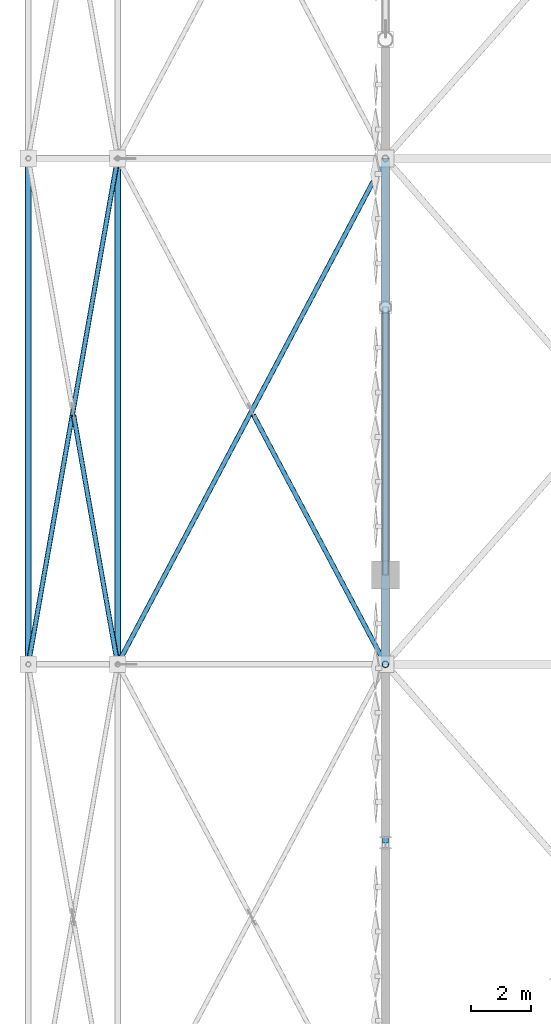
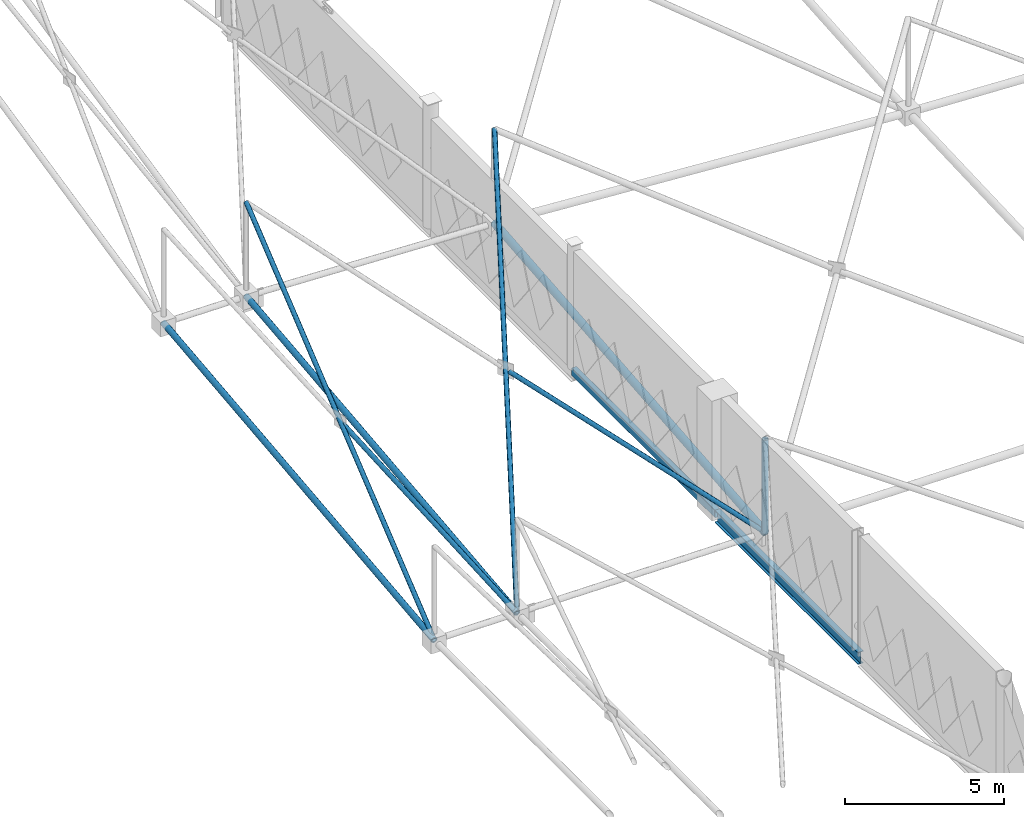
# One storey, part 68 of 224: 8 members, 2 beams.
"""IFC4 building model written with IfcOpenShell, lengths in metres."""

from ifc_helpers import new_model, si_unit, direction, frame, origin, origin_2d, place, context, subcontext, project, spatial, hollow_rectangle, hollow_circle, i_section, extrude, material, material_profile, profile_set, type_object, element, save


model = new_model("IFC4")

# Units and contexts
model_context = context("Model", 3, precision=1e-05, world=origin(), true_north=direction((0.0, 1.0)))
body_context = subcontext(model_context, "Body", "Model", "MODEL_VIEW")
ifc_project = project(units=[si_unit("LENGTHUNIT", "METRE"), si_unit("AREAUNIT", "SQUARE_METRE"), si_unit("VOLUMEUNIT", "CUBIC_METRE"), si_unit("PLANEANGLEUNIT", "RADIAN"), si_unit("MASSUNIT", "GRAM", prefix="KILO")], contexts=[model_context])

# Site, building, storey
site_placement = place(None, origin())
site = spatial("IfcSite", under=ifc_project, at=site_placement, CompositionType="ELEMENT")
building_placement = place(site_placement, origin())
building = spatial("IfcBuilding", under=site, at=building_placement, Name="Qamarlyn Nura Convention Centre", CompositionType="ELEMENT")
storey_placement = place(building_placement, frame((0.0, 0.0, 10.800048828125)))
storey = spatial("IfcBuildingStorey", under=building, at=storey_placement, Name="L02", CompositionType="ELEMENT", Elevation=10.800048828125)

# Beams
ifc_material_1 = material(Name="Steel ASTM A992", Category="steel")
ifc_material_profile_1 = material_profile(ifc_material_1, i_section(OverallWidth=0.193115234375, OverallDepth=0.466064453125, WebThickness=0.011474609375, FlangeThickness=0.01904296875, FilletRadius=0.012939453125, at=origin_2d()), Name="W460X97")
ifc_profile_set_1 = profile_set([ifc_material_profile_1], Name="Steel ASTM A992")
beam_type_1 = type_object("IfcBeamType", Name="BM-SPAN-460", PredefinedType="SPANDREL", material=ifc_profile_set_1)
beam_1_placement = place(storey_placement, frame((0.0, 63.0, -0.233154296875), z_axis=(0.0, 1.0, 0.0), x_axis=(-1.0, 0.0, 0.0)))
element("IfcBeam", 1, at=beam_1_placement, inside=storey, type_object=beam_type_1, Name="L02 girder 1 H-J", PredefinedType="SPANDREL", context=body_context, shape_type="SweptSolid", body=[
    extrude(i_section(OverallWidth=0.193115234375, OverallDepth=0.466064453125, WebThickness=0.011474609375, FlangeThickness=0.01904296875, FilletRadius=0.012939453125, at=origin_2d()), origin(), (0.0, 0.0, 1.0), 9.0),
])
ifc_material_2 = material(Name="Steel ASTM A500 Grade C", Category="steel")
ifc_material_profile_2 = material_profile(ifc_material_2, hollow_rectangle(XDim=0.199951171875, YDim=0.300048828125, WallThickness=0.012451171875, InnerFilletRadius=0.012451171875, OuterFilletRadius=0.02490234375, at=origin_2d()), Name="HSS300X200X12.5")
ifc_profile_set_2 = profile_set([ifc_material_profile_2], Name="Steel ASTM A500 Grade C")
beam_type_2 = type_object("IfcBeamType", Name="BM-SPAN-HSS", PredefinedType="SPANDREL", material=ifc_profile_set_2)
beam_2_placement = place(storey_placement, frame((0.0, 72.0, -0.150146484375), z_axis=(0.0, 1.0, 0.0), x_axis=(-1.0, 0.0, 0.0)))
element("IfcBeam", 2, at=beam_2_placement, inside=storey, type_object=beam_type_2, Name="L02 girder 1 J-K", PredefinedType="SPANDREL", context=body_context, shape_type="SweptSolid", body=[
    extrude(hollow_rectangle(XDim=0.199951171875, YDim=0.300048828125, WallThickness=0.012451171875, InnerFilletRadius=0.012451171875, OuterFilletRadius=0.02490234375, at=origin_2d()), origin(), (0.0, 0.0, 1.0), 9.0),
])

# Members
ifc_material_3 = material(Name="Pearl-white PVDF steel ASTM A500 Grade C", Category="steel")
ifc_material_profile_3 = material_profile(ifc_material_3, hollow_circle(Radius=0.109619140625, WallThickness=0.010009765625, at=origin_2d()), Name="CHS219.1X10")
ifc_profile_set_3 = profile_set([ifc_material_profile_3], Name="Pearl-white PVDF steel ASTM A500 Grade C")
member_type_1 = type_object("IfcMemberType", Name="SF-BC-EAVE", PredefinedType="CHORD", material=ifc_profile_set_3)
member_1_placement = place(storey_placement, frame((-12.0, 69.0, 1.0107421875), z_axis=(0.0, 0.994150129904, 0.108007033156), x_axis=(-1.0, 0.0, 0.0)))
element("IfcMember", 3, at=member_1_placement, inside=storey, type_object=member_type_1, Name="ROOF TRUSS space frame bottom chord Y0-5", PredefinedType="CHORD", context=body_context, shape_type="SweptSolid", body=[
    extrude(hollow_circle(Radius=0.109619140625, WallThickness=0.010009765625, at=origin_2d()), origin(), (0.0, 0.0, 1.0), 17.10009765625),
])
member_2_placement = place(storey_placement, frame((-9.0, 69.0, 1.005615234375), z_axis=(0.0, 0.994278213188, 0.106821508974), x_axis=(-1.0, 0.0, 0.0)))
element("IfcMember", 4, at=member_2_placement, inside=storey, type_object=member_type_1, Name="ROOF TRUSS space frame bottom chord Y1-5", PredefinedType="CHORD", context=body_context, shape_type="SweptSolid", body=[
    extrude(hollow_circle(Radius=0.109619140625, WallThickness=0.010009765625, at=origin_2d()), origin(), (0.0, 0.0, 1.0), 17.097900390625),
])
ifc_material_profile_4 = material_profile(ifc_material_3, hollow_circle(Radius=0.136474609375, WallThickness=0.012451171875, at=origin_2d()), Name="CHS273X12.5")
ifc_profile_set_4 = profile_set([ifc_material_profile_4], Name="Pearl-white PVDF steel ASTM A500 Grade C")
member_type_2 = type_object("IfcMemberType", Name="SF-BC-MAIN", PredefinedType="CHORD", material=ifc_profile_set_4)
member_3_placement = place(storey_placement, frame((0.0, 69.0, 0.937255859375), z_axis=(0.0, 0.995888281299, 0.090589906562), x_axis=(-1.0, 0.0, 0.0)))
element("IfcMember", 5, at=member_3_placement, inside=storey, type_object=member_type_2, Name="ROOF TRUSS space frame bottom chord Y2-5", PredefinedType="CHORD", context=body_context, shape_type="SweptSolid", body=[
    extrude(hollow_circle(Radius=0.136474609375, WallThickness=0.012451171875, at=origin_2d()), origin(), (0.0, 0.0, 1.0), 17.070068359375),
])
ifc_material_profile_5 = material_profile(ifc_material_3, hollow_circle(Radius=0.109619140625, WallThickness=0.010009765625, at=origin_2d()), Name="CHS219.1X10")
ifc_profile_set_5 = profile_set([ifc_material_profile_5], Name="Pearl-white PVDF steel ASTM A500 Grade C")
member_type_3 = type_object("IfcMemberType", Name="SF-WEB-HVY", PredefinedType="BRACE", material=ifc_profile_set_5)
member_4_placement = place(storey_placement, frame((0.0, 69.0, 0.937255859375), z_axis=(0.0, 0.0, 1.0), x_axis=(1.0, 0.0, 0.0)))
element("IfcMember", 6, at=member_4_placement, inside=storey, type_object=member_type_3, Name="ROOF TRUSS space frame vertical 2-5", PredefinedType="BRACE", context=body_context, shape_type="SweptSolid", body=[
    extrude(hollow_circle(Radius=0.109619140625, WallThickness=0.010009765625, at=origin_2d()), origin(), (0.0, 0.0, 1.0), 3.60009765625),
])
ifc_material_profile_6 = material_profile(ifc_material_3, hollow_circle(Radius=0.084228515625, WallThickness=0.008056640625, at=origin_2d()), Name="CHS168.3X8")
ifc_profile_set_6 = profile_set([ifc_material_profile_6], Name="Pearl-white PVDF steel ASTM A500 Grade C")
member_type_4 = type_object("IfcMemberType", Name="SF-WEB-STD", PredefinedType="BRACE", material=ifc_profile_set_6)
member_5_placement = place(storey_placement, frame((-12.0, 69.0, 1.0107421875), z_axis=(0.165801172969, 0.939539980159, 0.299624092363), x_axis=(-0.984783558818, 0.173785333909, 0.0)))
element("IfcMember", 7, at=member_5_placement, inside=storey, type_object=member_type_4, Name="ROOF TRUSS space frame diagonal A 0-5", PredefinedType="BRACE", context=body_context, shape_type="SweptSolid", body=[
    extrude(hollow_circle(Radius=0.084228515625, WallThickness=0.008056640625, at=origin_2d()), origin(), (0.0, 0.0, 1.0), 18.093994140625),
])
member_6_placement = place(storey_placement, frame((-9.0, 69.0, 1.005615234375), z_axis=(-0.16574855294, 0.939223532671, 0.300643597761), x_axis=(-0.984782980353, -0.173788611843, 0.0)))
element("IfcMember", 8, at=member_6_placement, inside=storey, type_object=member_type_4, Name="ROOF TRUSS space frame split diagonal B1 0-5", PredefinedType="BRACE", context=body_context, shape_type="SweptSolid", body=[
    extrude(hollow_circle(Radius=0.084228515625, WallThickness=0.008056640625, at=origin_2d()), origin(), (0.0, 0.0, 1.0), 8.909912109375),
])
member_7_placement = place(storey_placement, frame((-9.0, 69.0, 1.005615234375), z_axis=(0.452388496338, 0.854511604194, 0.255253925885), x_axis=(-0.883787916347, 0.467887720419, 0.0)))
element("IfcMember", 9, at=member_7_placement, inside=storey, type_object=member_type_4, Name="ROOF TRUSS space frame diagonal A 1-5", PredefinedType="BRACE", context=body_context, shape_type="SweptSolid", body=[
    extrude(hollow_circle(Radius=0.084228515625, WallThickness=0.008056640625, at=origin_2d()), origin(), (0.0, 0.0, 1.0), 19.894287109375),
])
member_8_placement = place(storey_placement, frame((0.0, 69.0, 0.937255859375), z_axis=(-0.450756996548, 0.851438149802, 0.268088058528), x_axis=(-0.883789795007, -0.467884171822, 0.0)))
element("IfcMember", 10, at=member_8_placement, inside=storey, type_object=member_type_4, Name="ROOF TRUSS space frame split diagonal B1 1-5", PredefinedType="BRACE", context=body_context, shape_type="SweptSolid", body=[
    extrude(hollow_circle(Radius=0.084228515625, WallThickness=0.008056640625, at=origin_2d()), origin(), (0.0, 0.0, 1.0), 9.843505859375),
])

save(model, "model.ifc")
